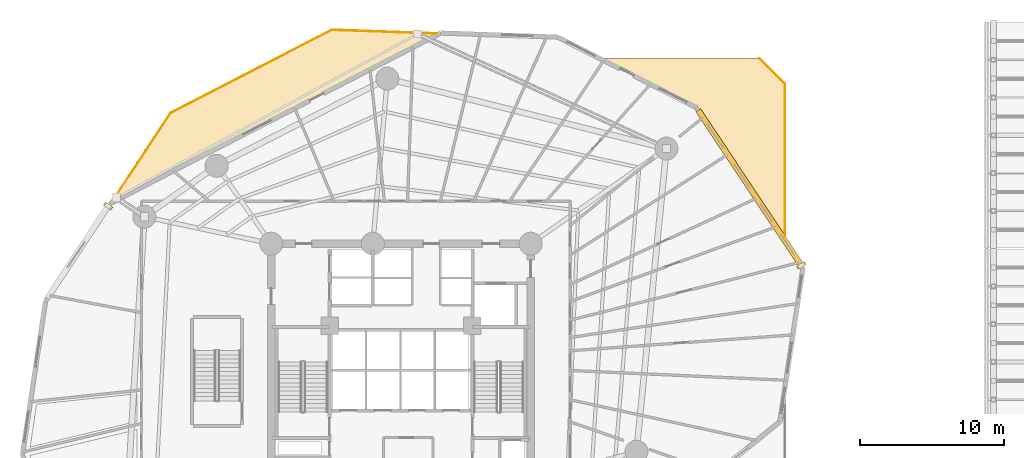
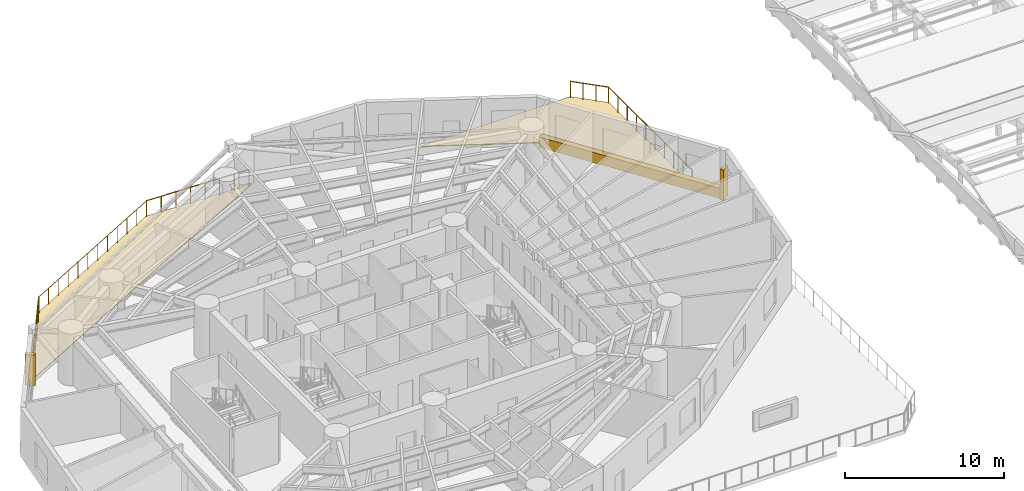
# One storey, part 16 of 16: 5 railings, 3 coverings, 2 shading devices.
"""IFC4 building model written with IfcOpenShell, lengths in metres."""

from ifc_helpers import new_model, si_unit, direction, frame, origin, origin_with_axes, origin_2d, place, context, subcontext, project, spatial, polyline, rectangle, circle, outline, extrude, source, transform, mapped, material, layer, layer_set, type_object, element, save


model = new_model("IFC4")

# Units and contexts
model_context = context("Model", 3, precision=1e-05, world=origin(), true_north=direction((0.0, 1.0)))
body_context = subcontext(model_context, "Body", "Model", "MODEL_VIEW")
ifc_project = project(units=[si_unit("LENGTHUNIT", "METRE"), si_unit("AREAUNIT", "SQUARE_METRE"), si_unit("VOLUMEUNIT", "CUBIC_METRE"), si_unit("PLANEANGLEUNIT", "RADIAN"), si_unit("MASSUNIT", "GRAM", prefix="KILO")], contexts=[model_context])

# Site, building, storey
site_placement = place(None, origin())
site = spatial("IfcSite", under=ifc_project, at=site_placement, CompositionType="ELEMENT")
building_placement = place(site_placement, origin())
building = spatial("IfcBuilding", under=site, at=building_placement, Name="Karkom Vertical University and Central Library", CompositionType="ELEMENT")
storey_placement = place(building_placement, frame((0.0, 0.0, 22.5)))
storey = spatial("IfcBuildingStorey", under=building, at=storey_placement, Name="L05", CompositionType="ELEMENT", Elevation=22.5)

# Coverings
ifc_material_1 = material(Name="EPDM membrane with Kota stone ballast roofing", Category="masonry")
ifc_layer_1 = layer(ifc_material_1, 0.080078125)
ifc_layer_set_1 = layer_set([ifc_layer_1], Name="EPDM membrane with Kota stone ballast roofing")
covering_type_1 = type_object("IfcCoveringType", Name="ENV-COV-ROOF", PredefinedType="ROOFING", material=ifc_layer_set_1)
covering_1_placement = place(storey_placement, origin())
element("IfcCovering", 1, at=covering_1_placement, inside=storey, type_object=covering_type_1, Name="Level 05 Spiral Sky Garden Waterproofing Covering", PredefinedType="ROOFING", context=body_context, shape_type="SweptSolid", body=[
    extrude(outline(polyline([(12.477783203125, 43.813720703125), (23.684814453125, 49.593017578125), (31.216552734375, 49.32861328125), (8.325927734375, 37.523681640625), (12.477783203125, 43.813720703125)])), origin(), (0.0, 0.0, 1.0), 0.06005859375),
])
covering_2_placement = place(storey_placement, origin())
element("IfcCovering", 2, at=covering_2_placement, inside=storey, type_object=covering_type_1, Name="Level 05 Podium Roof Garden Waterproofing 3", PredefinedType="ROOFING", context=body_context, shape_type="SweptSolid", body=[
    extrude(outline(polyline([(53.39990234375, 47.60009765625), (55.199951171875, 45.800048828125), (55.199951171875, 35.033203125), (49.088623046875, 44.230224609375), (49.081298828125, 44.240234375), (49.072998046875, 44.24951171875), (49.063720703125, 44.257568359375), (49.0537109375, 44.264892578125), (49.043212890625, 44.27099609375), (42.475341796875, 47.60009765625), (53.39990234375, 47.60009765625)])), origin(), (0.0, 0.0, 1.0), 0.06005859375),
])

# Railings
ifc_material_2 = material(Name="Architectural painted steel & laminated glass balustrade", Category="steel")
ifc_layer_2 = layer(ifc_material_2, 0.090087890625)
ifc_layer_set_2 = layer_set([ifc_layer_2], Name="Architectural painted steel & laminated glass balustrade")
railing_type = type_object("IfcRailingType", Name="ENV-RL-BAL1300", PredefinedType="BALUSTRADE", material=ifc_layer_set_2)
railing_1_placement = place(storey_placement, frame((12.519287109375, 43.767578125, 0.0)))
element("IfcRailing", 3, at=railing_1_placement, inside=storey, type_object=railing_type, Name="Level 05 Planted Terrace Safety Balustrade 01", PredefinedType="BALUSTRADE", context=body_context, shape_type="SweptSolid", body=[
    extrude(circle(Radius=0.02392578125, at=origin_2d()), frame((0.0, 0.0, 1.27587890625), z_axis=(0.888779076422, 0.458335852094, 0.0), x_axis=(-0.458335852094, 0.888779076422, 0.0)), (0.0, 0.0, 1.0), 12.577880859375),
    extrude(circle(Radius=0.02099609375, at=origin_2d()), origin(), (0.0, 0.0, 1.0), 1.251953125),
    extrude(circle(Radius=0.02099609375, at=origin_2d()), frame((1.016357421875, 0.524169921875, 0.0)), (0.0, 0.0, 1.0), 1.251953125),
    extrude(circle(Radius=0.02099609375, at=origin_2d()), frame((2.032470703125, 1.048095703125, 0.0)), (0.0, 0.0, 1.0), 1.251953125),
    extrude(circle(Radius=0.02099609375, at=origin_2d()), frame((3.048828125, 1.572265625, 0.0)), (0.0, 0.0, 1.0), 1.251953125),
    extrude(circle(Radius=0.02099609375, at=origin_2d()), frame((4.065185546875, 2.096435546875, 0.0)), (0.0, 0.0, 1.0), 1.251953125),
    extrude(circle(Radius=0.02099609375, at=origin_2d()), frame((5.081298828125, 2.620361328125, 0.0)), (0.0, 0.0, 1.0), 1.251953125),
    extrude(circle(Radius=0.02099609375, at=origin_2d()), frame((6.09765625, 3.14453125, 0.0)), (0.0, 0.0, 1.0), 1.251953125),
    extrude(circle(Radius=0.02099609375, at=origin_2d()), frame((7.11376953125, 3.66845703125, 0.0)), (0.0, 0.0, 1.0), 1.251953125),
    extrude(circle(Radius=0.02099609375, at=origin_2d()), frame((8.130126953125, 4.192626953125, 0.0)), (0.0, 0.0, 1.0), 1.251953125),
    extrude(circle(Radius=0.02099609375, at=origin_2d()), frame((9.146484375, 4.716796875, 0.0)), (0.0, 0.0, 1.0), 1.251953125),
    extrude(circle(Radius=0.02099609375, at=origin_2d()), frame((10.16259765625, 5.24072265625, 0.0)), (0.0, 0.0, 1.0), 1.251953125),
    extrude(circle(Radius=0.02099609375, at=origin_2d()), frame((11.178955078125, 5.764892578125, 0.0)), (0.0, 0.0, 1.0), 1.251953125),
])
railing_2_placement = place(storey_placement, frame((23.6982421875, 49.532470703125, 0.0)))
element("IfcRailing", 4, at=railing_2_placement, inside=storey, type_object=railing_type, Name="Level 05 Planted Terrace Safety Balustrade 02", PredefinedType="BALUSTRADE", context=body_context, shape_type="SweptSolid", body=[
    extrude(circle(Radius=0.02392578125, at=origin_2d()), frame((0.0, 0.0, 1.27587890625), z_axis=(0.999384128865, -0.035090781889, 0.0), x_axis=(0.035090781889, 0.999384128865, 0.0)), (0.0, 0.0, 1.0), 7.291259765625),
    extrude(circle(Radius=0.02099609375, at=origin_2d()), origin(), (0.0, 0.0, 1.0), 1.251953125),
    extrude(circle(Radius=0.02099609375, at=origin_2d()), frame((1.041015625, -0.03662109375, 0.0)), (0.0, 0.0, 1.0), 1.251953125),
    extrude(circle(Radius=0.02099609375, at=origin_2d()), frame((2.08203125, -0.072998046875, 0.0)), (0.0, 0.0, 1.0), 1.251953125),
    extrude(circle(Radius=0.02099609375, at=origin_2d()), frame((3.123046875, -0.109619140625, 0.0)), (0.0, 0.0, 1.0), 1.251953125),
    extrude(circle(Radius=0.02099609375, at=origin_2d()), frame((4.163818359375, -0.146240234375, 0.0)), (0.0, 0.0, 1.0), 1.251953125),
    extrude(circle(Radius=0.02099609375, at=origin_2d()), frame((5.204833984375, -0.182861328125, 0.0)), (0.0, 0.0, 1.0), 1.251953125),
    extrude(circle(Radius=0.02099609375, at=origin_2d()), frame((6.245849609375, -0.21923828125, 0.0)), (0.0, 0.0, 1.0), 1.251953125),
    extrude(circle(Radius=0.02099609375, at=origin_2d()), frame((7.286865234375, -0.255859375, 0.0)), (0.0, 0.0, 1.0), 1.251953125),
])
railing_3_placement = place(storey_placement, frame((8.50244140625, 37.682373046875, 0.0)))
element("IfcRailing", 5, at=railing_3_placement, inside=storey, type_object=railing_type, Name="Level 05 Planted Terrace Safety Balustrade 03", PredefinedType="BALUSTRADE", context=body_context, shape_type="SweptSolid", body=[
    extrude(circle(Radius=0.02392578125, at=origin_2d()), frame((0.0, 0.0, 1.27587890625), z_axis=(0.550900515858, 0.834570920669, 0.0), x_axis=(-0.834570920669, 0.550900515858, 0.0)), (0.0, 0.0, 1.0), 7.29150390625),
    extrude(circle(Radius=0.02099609375, at=origin_2d()), origin(), (0.0, 0.0, 1.0), 1.251953125),
    extrude(circle(Radius=0.02099609375, at=origin_2d()), frame((0.57373046875, 0.869384765625, 0.0)), (0.0, 0.0, 1.0), 1.251953125),
    extrude(circle(Radius=0.02099609375, at=origin_2d()), frame((1.147705078125, 1.738525390625, 0.0)), (0.0, 0.0, 1.0), 1.251953125),
    extrude(circle(Radius=0.02099609375, at=origin_2d()), frame((1.721435546875, 2.60791015625, 0.0)), (0.0, 0.0, 1.0), 1.251953125),
    extrude(circle(Radius=0.02099609375, at=origin_2d()), frame((2.29541015625, 3.477294921875, 0.0)), (0.0, 0.0, 1.0), 1.251953125),
    extrude(circle(Radius=0.02099609375, at=origin_2d()), frame((2.869140625, 4.3466796875, 0.0)), (0.0, 0.0, 1.0), 1.251953125),
    extrude(circle(Radius=0.02099609375, at=origin_2d()), frame((3.443115234375, 5.2158203125, 0.0)), (0.0, 0.0, 1.0), 1.251953125),
    extrude(circle(Radius=0.02099609375, at=origin_2d()), frame((4.016845703125, 6.085205078125, 0.0)), (0.0, 0.0, 1.0), 1.251953125),
])
railing_4_placement = place(storey_placement, frame((53.375, 47.5400390625, 0.0)))
element("IfcRailing", 6, at=railing_4_placement, inside=storey, type_object=railing_type, Name="Level 05 Planted Terrace Safety Balustrade 01", PredefinedType="BALUSTRADE", context=body_context, shape_type="SweptSolid", body=[
    extrude(circle(Radius=0.02392578125, at=origin_2d()), frame((0.0, 0.0, 1.27587890625), z_axis=(0.707106781187, -0.707106781187, 0.0), x_axis=(0.707106781187, 0.707106781187, 0.0)), (0.0, 0.0, 1.0), 2.495849609375),
    extrude(circle(Radius=0.02099609375, at=origin_2d()), origin(), (0.0, 0.0, 1.0), 1.251953125),
    extrude(circle(Radius=0.02099609375, at=origin_2d()), frame((0.58837890625, -0.58837890625, 0.0)), (0.0, 0.0, 1.0), 1.251953125),
    extrude(circle(Radius=0.02099609375, at=origin_2d()), frame((1.176513671875, -1.176513671875, 0.0)), (0.0, 0.0, 1.0), 1.251953125),
    extrude(circle(Radius=0.02099609375, at=origin_2d()), frame((1.764892578125, -1.764892578125, 0.0)), (0.0, 0.0, 1.0), 1.251953125),
])
railing_5_placement = place(storey_placement, frame((55.139892578125, 45.775146484375, 0.0)))
element("IfcRailing", 7, at=railing_5_placement, inside=storey, type_object=railing_type, Name="Level 05 Planted Terrace Safety Balustrade 02", PredefinedType="BALUSTRADE", context=body_context, shape_type="SweptSolid", body=[
    extrude(circle(Radius=0.02392578125, at=origin_2d()), frame((0.0, 0.0, 1.27587890625), z_axis=(0.0, -1.0, 0.0), x_axis=(1.0, 0.0, 0.0)), (0.0, 0.0, 1.0), 10.54345703125),
    extrude(circle(Radius=0.02099609375, at=origin_2d()), origin(), (0.0, 0.0, 1.0), 1.251953125),
    extrude(circle(Radius=0.02099609375, at=origin_2d()), frame((0.0, -1.17138671875, 0.0)), (0.0, 0.0, 1.0), 1.251953125),
    extrude(circle(Radius=0.02099609375, at=origin_2d()), frame((0.0, -2.343017578125, 0.0)), (0.0, 0.0, 1.0), 1.251953125),
    extrude(circle(Radius=0.02099609375, at=origin_2d()), frame((0.0, -3.514404296875, 0.0)), (0.0, 0.0, 1.0), 1.251953125),
    extrude(circle(Radius=0.02099609375, at=origin_2d()), frame((0.0, -4.68603515625, 0.0)), (0.0, 0.0, 1.0), 1.251953125),
    extrude(circle(Radius=0.02099609375, at=origin_2d()), frame((0.0, -5.857421875, 0.0)), (0.0, 0.0, 1.0), 1.251953125),
    extrude(circle(Radius=0.02099609375, at=origin_2d()), frame((0.0, -7.029052734375, 0.0)), (0.0, 0.0, 1.0), 1.251953125),
    extrude(circle(Radius=0.02099609375, at=origin_2d()), frame((0.0, -8.200439453125, 0.0)), (0.0, 0.0, 1.0), 1.251953125),
    extrude(circle(Radius=0.02099609375, at=origin_2d()), frame((0.0, -9.3720703125, 0.0)), (0.0, 0.0, 1.0), 1.251953125),
    extrude(circle(Radius=0.02099609375, at=origin_2d()), frame((0.0, -10.54345703125, 0.0)), (0.0, 0.0, 1.0), 1.251953125),
])

# Shading devices
ifc_material_3 = material(Name="Terracotta-clad precast concrete sun-breaker fin C45/55", Category="masonry")
shading_device_type = type_object("IfcShadingDeviceType", Name="ENV-SHD-BRISE", PredefinedType="USERDEFINED", material=ifc_material_3)
shared_shape_1 = source(origin_with_axes(), body_context, "Body", "SweptSolid", [
    extrude(rectangle(XDim=0.239990234375, YDim=0.639892578125, at=origin_2d()), origin(), (0.0, 0.0, 1.0), 2.35009765625),
])
for number, where, z_axis, x_axis, name in (
    (8, (8.18212890625, 37.30615234375, 0.0), (0.0, 0.0, 1.0), (-0.550917789925, -0.834559517796, 0.0), "Level 05 Brutalist Brise-Soleil Fin 01"),
    (9, (56.2783203125, 33.193603515625, 0.0), (0.0, 0.0, 1.0), (-0.553391549243, 0.83292124071, 0.0), "Level 05 Brutalist Brise-Soleil Fin 09"),
):
    element("IfcShadingDevice", number, at=place(storey_placement, frame(where, z_axis=z_axis, x_axis=x_axis)), inside=storey, type_object=shading_device_type, Name=name, ObjectType="BRISE SOLEIL", PredefinedType="USERDEFINED", context=body_context, shape_type="MappedRepresentation", body=[
        mapped(shared_shape_1, transform((0.0, 0.0, 0.0), scale=1.0)),
    ])

# Covering
ifc_material_4 = material(Name="Hand-pressed red-ochre terracotta brick slip cladding", Category="masonry")
ifc_layer_3 = layer(ifc_material_4, 0.090087890625)
ifc_layer_set_3 = layer_set([ifc_layer_3], Name="Hand-pressed red-ochre terracotta brick slip cladding")
covering_type_2 = type_object("IfcCoveringType", Name="ENV-COV-CLAD", PredefinedType="CLADDING", material=ifc_layer_set_3)
shared_shape_2 = source(origin_with_axes(), body_context, "Body", "SweptSolid", [
    extrude(rectangle(XDim=12.89111328125, YDim=0.39990234375, at=origin_2d()), origin(), (0.0, 0.0, 1.0), 0.780029296875),
])
covering_3_placement = place(storey_placement, frame((52.6943359375, 38.587158203125, 0.0), z_axis=(0.0, 0.0, 1.0), x_axis=(-0.553391549243, 0.83292124071, 0.0)))
element("IfcCovering", 10, at=covering_3_placement, inside=storey, type_object=covering_type_2, Name="Level 05 Terracotta Spandrel Cladding 09", PredefinedType="CLADDING", context=body_context, shape_type="MappedRepresentation", body=[
    mapped(shared_shape_2, transform((0.0, 0.0, 0.0), scale=1.0)),
])

save(model, "model.ifc")
